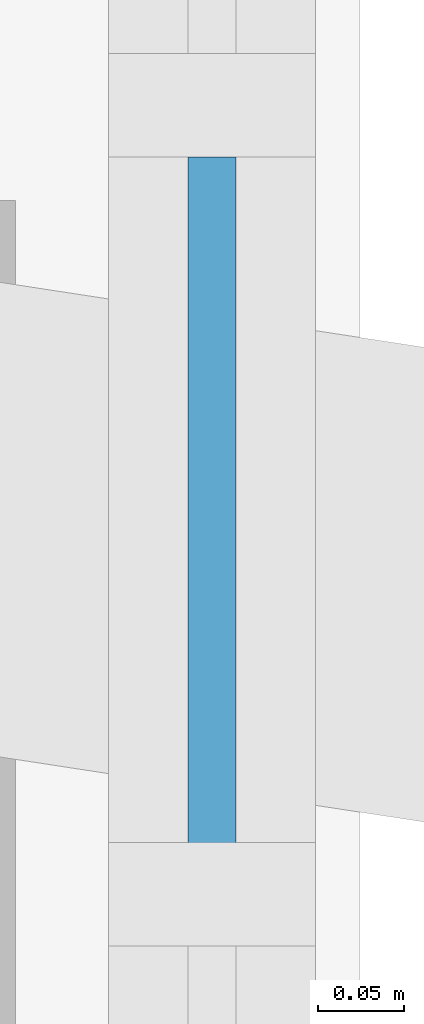
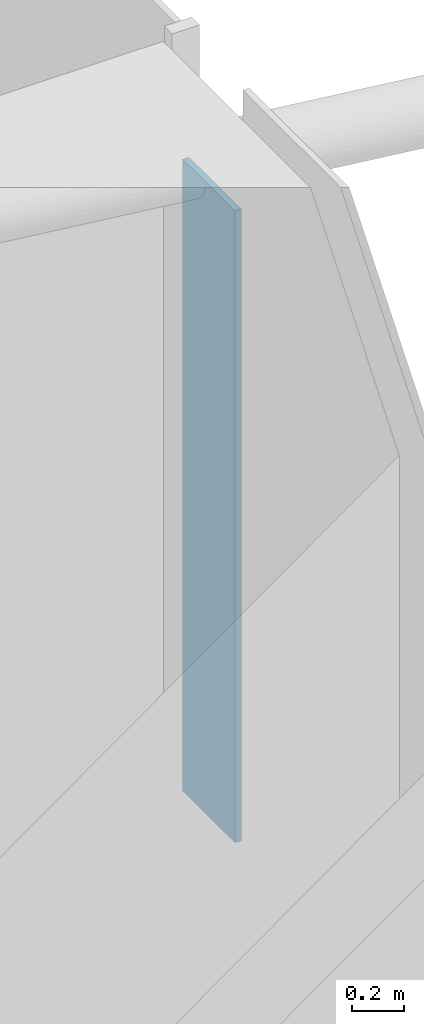
# One storey, part 24 of 38: 1 plate, 1 element without a shape of its own.
"""IFC4 building model written with IfcOpenShell, lengths in metres."""

from ifc_helpers import new_model, si_unit, direction, frame, origin, origin_2d, place, context, subcontext, project, spatial, rectangle, extrude, material, layer, layer_set, type_object, element, aggregate, save


model = new_model("IFC4")

# Units and contexts
model_context = context("Model", 3, precision=1e-05, world=origin(), true_north=direction((0.0, 1.0)))
body_context = subcontext(model_context, "Body", "Model", "MODEL_VIEW")
ifc_project = project(units=[si_unit("LENGTHUNIT", "METRE"), si_unit("AREAUNIT", "SQUARE_METRE"), si_unit("VOLUMEUNIT", "CUBIC_METRE"), si_unit("PLANEANGLEUNIT", "RADIAN"), si_unit("MASSUNIT", "GRAM", prefix="KILO")], contexts=[model_context])

# Site, building, storey
site_placement = place(None, origin())
site = spatial("IfcSite", under=ifc_project, at=site_placement, CompositionType="ELEMENT")
building_placement = place(site_placement, origin())
building = spatial("IfcBuilding", under=site, at=building_placement, Name="Marenta Gate Hotel Tower", CompositionType="ELEMENT")
storey_placement = place(building_placement, frame((0.0, 0.0, 40.10009765625)))
storey = spatial("IfcBuildingStorey", under=building, at=storey_placement, Name="L07", CompositionType="ELEMENT", Elevation=40.10009765625)

# Curtain wall, plate
ifc_material_1 = material(Name="Tinted insulated glass in bronze anodised frame", Category="glass")
ifc_layer_1 = layer(ifc_material_1, 0.1201171875)
ifc_layer_set_1 = layer_set([ifc_layer_1], Name="Tinted insulated glass in bronze anodised frame")
curtain_wall_type = type_object("IfcCurtainWallType", Name="Tower unitised curtain wall CW1", PredefinedType="NOTDEFINED", material=ifc_layer_set_1)
curtain_wall_placement = place(storey_placement, origin())
curtain_wall = element("IfcCurtainWall", 1, at=curtain_wall_placement, inside=storey, type_object=curtain_wall_type, Name="CW1 run G33", PredefinedType="NOTDEFINED")
ifc_material_2 = material(Name="Tinted insulated glass", Category="glass")
ifc_layer_2 = layer(ifc_material_2, 0.028076171875)
ifc_layer_set_2 = layer_set([ifc_layer_2], Name="Tinted insulated glass")
plate_type = type_object("IfcPlateType", Name="Glass panel CW1 28 mm tinted insulated unit", PredefinedType="CURTAIN_PANEL", material=ifc_layer_set_2)
plate_placement = place(storey_placement, frame((29.4140625, 10.776123046875, 0.06005859375), z_axis=(0.0, 0.0, 1.0), x_axis=(0.0, 1.0, 0.0)))
plate = element("IfcPlate", 2, at=plate_placement, type_object=plate_type, Name="CW1 panel 1.1", PredefinedType="CURTAIN_PANEL", context=body_context, shape_type="SweptSolid", body=[
    extrude(rectangle(XDim=0.398193359375, YDim=0.028076171875, at=origin_2d()), origin(), (0.0, 0.0, 1.0), 2.9404296875),
])
aggregate(curtain_wall, [plate])

save(model, "model.ifc")
